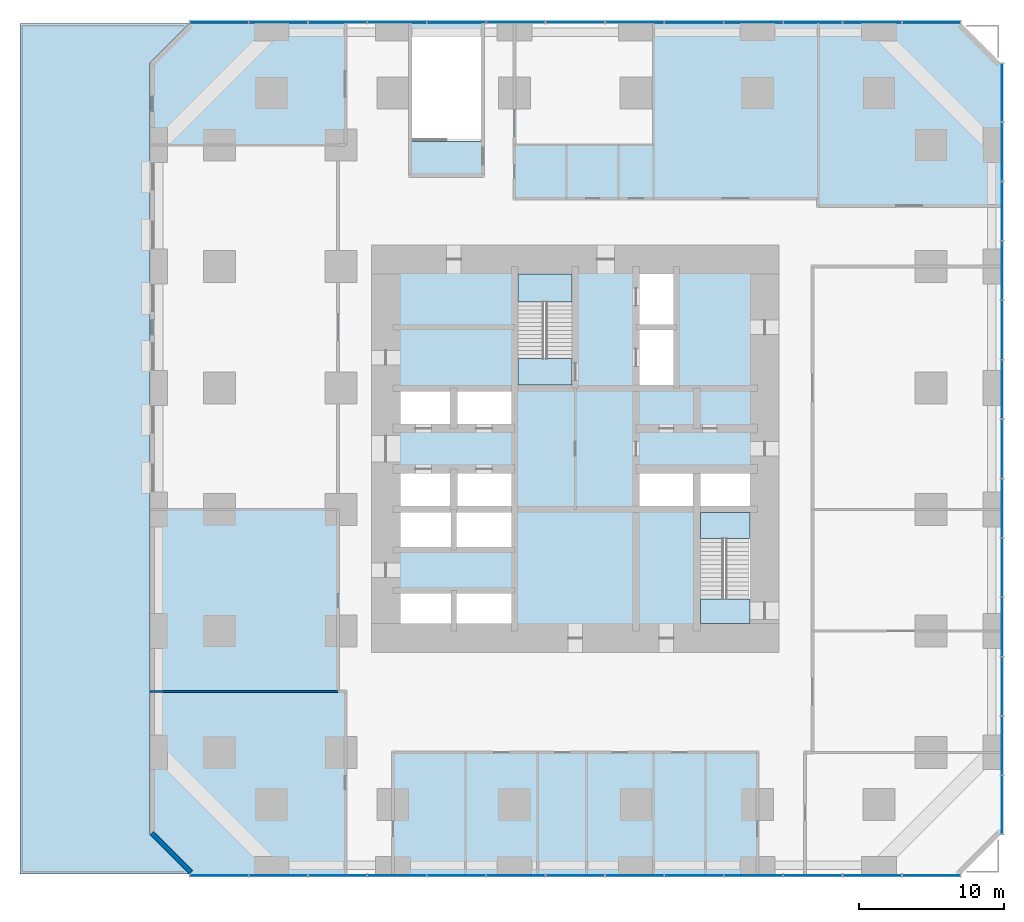
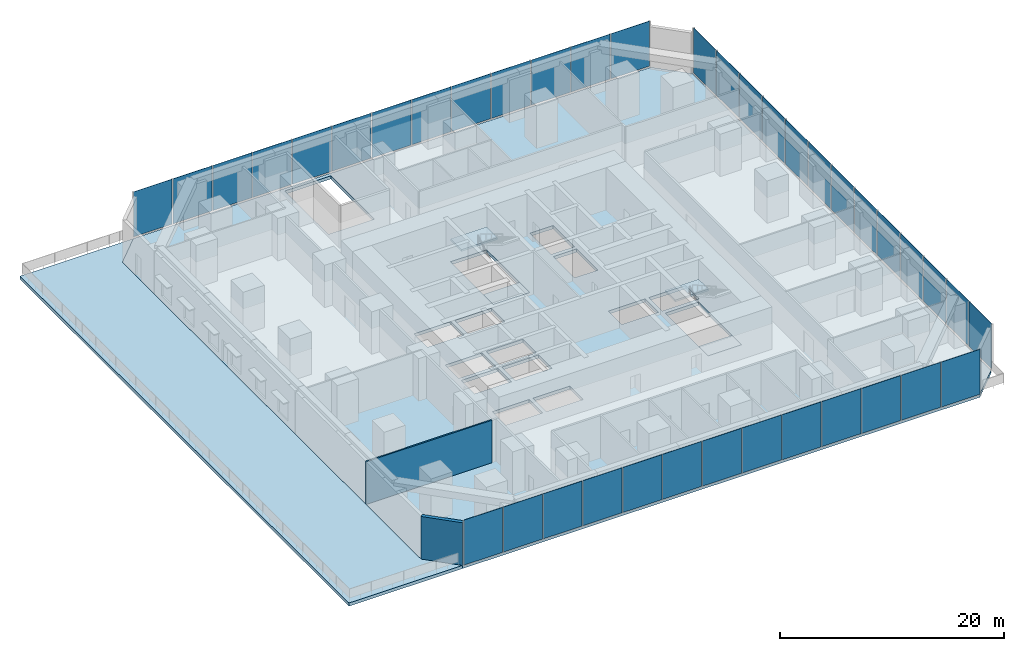
# One storey, part 6 of 12: 39 plates, 6 slabs, 2 walls, 5 elements without a shape of their own.
"""IFC4 building model written with IfcOpenShell, lengths in metres."""

from ifc_helpers import new_model, si_unit, direction, frame, frame_2d, origin, origin_2d, place, context, subcontext, project, spatial, polyline, rectangle, outline, extrude, material, layer, layer_set, type_object, element, aggregate, save


model = new_model("IFC4")

# Units and contexts
model_context = context("Model", 3, precision=1e-05, world=origin(), true_north=direction((0.0, 1.0)))
body_context = subcontext(model_context, "Body", "Model", "MODEL_VIEW")
ifc_project = project(units=[si_unit("LENGTHUNIT", "METRE"), si_unit("AREAUNIT", "SQUARE_METRE"), si_unit("VOLUMEUNIT", "CUBIC_METRE"), si_unit("PLANEANGLEUNIT", "RADIAN"), si_unit("MASSUNIT", "GRAM", prefix="KILO")], contexts=[model_context])

# Site, building, storey
site_placement = place(None, origin())
site = spatial("IfcSite", under=ifc_project, at=site_placement, CompositionType="ELEMENT")
building_placement = place(site_placement, origin())
building = spatial("IfcBuilding", under=site, at=building_placement, Name="Dunama Terrace Hotel", CompositionType="ELEMENT")
storey_placement = place(building_placement, frame((0.0, 0.0, 22.0)))
storey = spatial("IfcBuildingStorey", under=building, at=storey_placement, Name="L04", CompositionType="ELEMENT", Elevation=22.0)

# Curtain wall, plates
ifc_material_1 = material(Name="Aluminium curtain wall system", Category="aluminium")
curtain_wall_type = type_object("IfcCurtainWallType", Name="Podium storefront glazing CW-E", PredefinedType="NOTDEFINED", material=ifc_material_1)
curtain_wall_1_placement = place(storey_placement, origin())
curtain_wall_1 = element("IfcCurtainWall", 1, at=curtain_wall_1_placement, inside=storey, type_object=curtain_wall_type, Name="Podium storefront glazing CW-E L04", PredefinedType="NOTDEFINED")
ifc_material_2 = material(Name="Laminated glass", Category="glass")
ifc_layer_1 = layer(ifc_material_2, 0.033935546875)
ifc_layer_set_1 = layer_set([ifc_layer_1], Name="CWE clear glass panel")
plate_type_1 = type_object("IfcPlateType", Name="CWE clear glass panel", PredefinedType="CURTAIN_PANEL", material=ifc_layer_set_1)
plate_1_placement = place(storey_placement, frame((4.77392578125, -0.125, 0.08984375), z_axis=(0.0, 0.0, 1.0), x_axis=(1.0, 0.0, 0.0)))
plate_1 = element("IfcPlate", 2, at=plate_1_placement, type_object=plate_type_1, Name="CWE clear glass panel", PredefinedType="CURTAIN_PANEL", context=body_context, shape_type="SweptSolid", body=[
    extrude(rectangle(XDim=3.98779296875, YDim=0.033935546875, at=origin_2d()), origin(), (0.0, 0.0, 1.0), 4.909912109375),
])
plate_2_placement = place(storey_placement, frame((17.076904296875, -0.125, 0.08984375), z_axis=(0.0, 0.0, 1.0), x_axis=(1.0, 0.0, 0.0)))
plate_2 = element("IfcPlate", 3, at=plate_2_placement, type_object=plate_type_1, Name="CWE clear glass panel", PredefinedType="CURTAIN_PANEL", context=body_context, shape_type="SweptSolid", body=[
    extrude(rectangle(XDim=4.027587890625, YDim=0.033935546875, at=origin_2d()), origin(), (0.0, 0.0, 1.0), 4.909912109375),
])
plate_3_placement = place(storey_placement, frame((29.39990234375, -0.125, 0.08984375), z_axis=(0.0, 0.0, 1.0), x_axis=(1.0, 0.0, 0.0)))
plate_3 = element("IfcPlate", 4, at=plate_3_placement, type_object=plate_type_1, Name="CWE clear glass panel", PredefinedType="CURTAIN_PANEL", context=body_context, shape_type="SweptSolid", body=[
    extrude(rectangle(XDim=4.027587890625, YDim=0.033935546875, at=origin_2d()), origin(), (0.0, 0.0, 1.0), 4.909912109375),
])
plate_4_placement = place(storey_placement, frame((41.722900390625, -0.125, 0.08984375), z_axis=(0.0, 0.0, 1.0), x_axis=(1.0, 0.0, 0.0)))
plate_4 = element("IfcPlate", 5, at=plate_4_placement, type_object=plate_type_1, Name="CWE clear glass panel", PredefinedType="CURTAIN_PANEL", context=body_context, shape_type="SweptSolid", body=[
    extrude(rectangle(XDim=4.027587890625, YDim=0.033935546875, at=origin_2d()), origin(), (0.0, 0.0, 1.0), 4.909912109375),
])
plate_5_placement = place(storey_placement, frame((54.02587890625, -0.125, 0.08984375), z_axis=(0.0, 0.0, 1.0), x_axis=(1.0, 0.0, 0.0)))
plate_5 = element("IfcPlate", 6, at=plate_5_placement, type_object=plate_type_1, Name="CWE clear glass panel", PredefinedType="CURTAIN_PANEL", context=body_context, shape_type="SweptSolid", body=[
    extrude(rectangle(XDim=3.98779296875, YDim=0.033935546875, at=origin_2d()), origin(), (0.0, 0.0, 1.0), 4.909912109375),
])

curtain_wall_2_placement = place(storey_placement, origin())
curtain_wall_2 = element("IfcCurtainWall", 7, at=curtain_wall_2_placement, inside=storey, type_object=curtain_wall_type, Name="Podium storefront glazing CW-E L04", PredefinedType="NOTDEFINED")
plate_6_placement = place(storey_placement, frame((58.925048828125, 4.77392578125, 0.08984375), z_axis=(0.0, 0.0, 1.0), x_axis=(0.0, 1.0, 0.0)))
plate_6 = element("IfcPlate", 8, at=plate_6_placement, type_object=plate_type_1, Name="CWE clear glass panel", PredefinedType="CURTAIN_PANEL", context=body_context, shape_type="SweptSolid", body=[
    extrude(rectangle(XDim=3.98779296875, YDim=0.033935546875, at=origin_2d()), origin(), (0.0, 0.0, 1.0), 4.909912109375),
])
plate_7_placement = place(storey_placement, frame((58.925048828125, 17.076904296875, 0.08984375), z_axis=(0.0, 0.0, 1.0), x_axis=(0.0, 1.0, 0.0)))
plate_7 = element("IfcPlate", 9, at=plate_7_placement, type_object=plate_type_1, Name="CWE clear glass panel", PredefinedType="CURTAIN_PANEL", context=body_context, shape_type="SweptSolid", body=[
    extrude(rectangle(XDim=4.027587890625, YDim=0.033935546875, at=origin_2d()), origin(), (0.0, 0.0, 1.0), 4.909912109375),
])
plate_8_placement = place(storey_placement, frame((58.925048828125, 29.39990234375, 0.08984375), z_axis=(0.0, 0.0, 1.0), x_axis=(0.0, 1.0, 0.0)))
plate_8 = element("IfcPlate", 10, at=plate_8_placement, type_object=plate_type_1, Name="CWE clear glass panel", PredefinedType="CURTAIN_PANEL", context=body_context, shape_type="SweptSolid", body=[
    extrude(rectangle(XDim=4.027587890625, YDim=0.033935546875, at=origin_2d()), origin(), (0.0, 0.0, 1.0), 4.909912109375),
])
plate_9_placement = place(storey_placement, frame((58.925048828125, 41.722900390625, 0.08984375), z_axis=(0.0, 0.0, 1.0), x_axis=(0.0, 1.0, 0.0)))
plate_9 = element("IfcPlate", 11, at=plate_9_placement, type_object=plate_type_1, Name="CWE clear glass panel", PredefinedType="CURTAIN_PANEL", context=body_context, shape_type="SweptSolid", body=[
    extrude(rectangle(XDim=4.027587890625, YDim=0.033935546875, at=origin_2d()), origin(), (0.0, 0.0, 1.0), 4.909912109375),
])
plate_10_placement = place(storey_placement, frame((58.925048828125, 54.02587890625, 0.08984375), z_axis=(0.0, 0.0, 1.0), x_axis=(0.0, 1.0, 0.0)))
plate_10 = element("IfcPlate", 12, at=plate_10_placement, type_object=plate_type_1, Name="CWE clear glass panel", PredefinedType="CURTAIN_PANEL", context=body_context, shape_type="SweptSolid", body=[
    extrude(rectangle(XDim=3.98779296875, YDim=0.033935546875, at=origin_2d()), origin(), (0.0, 0.0, 1.0), 4.909912109375),
])

curtain_wall_3_placement = place(storey_placement, origin())
curtain_wall_3 = element("IfcCurtainWall", 13, at=curtain_wall_3_placement, inside=storey, type_object=curtain_wall_type, Name="Podium storefront glazing CW-E L04", PredefinedType="NOTDEFINED")
plate_11_placement = place(storey_placement, frame((54.02587890625, 58.925048828125, 0.08984375), z_axis=(0.0, 0.0, 1.0), x_axis=(-1.0, 0.0, 0.0)))
plate_11 = element("IfcPlate", 14, at=plate_11_placement, type_object=plate_type_1, Name="CWE clear glass panel", PredefinedType="CURTAIN_PANEL", context=body_context, shape_type="SweptSolid", body=[
    extrude(rectangle(XDim=3.98779296875, YDim=0.033935546875, at=origin_2d()), origin(), (0.0, 0.0, 1.0), 4.909912109375),
])
plate_12_placement = place(storey_placement, frame((41.722900390625, 58.925048828125, 0.08984375), z_axis=(0.0, 0.0, 1.0), x_axis=(-1.0, 0.0, 0.0)))
plate_12 = element("IfcPlate", 15, at=plate_12_placement, type_object=plate_type_1, Name="CWE clear glass panel", PredefinedType="CURTAIN_PANEL", context=body_context, shape_type="SweptSolid", body=[
    extrude(rectangle(XDim=4.027587890625, YDim=0.033935546875, at=origin_2d()), origin(), (0.0, 0.0, 1.0), 4.909912109375),
])
plate_13_placement = place(storey_placement, frame((29.39990234375, 58.925048828125, 0.08984375), z_axis=(0.0, 0.0, 1.0), x_axis=(-1.0, 0.0, 0.0)))
plate_13 = element("IfcPlate", 16, at=plate_13_placement, type_object=plate_type_1, Name="CWE clear glass panel", PredefinedType="CURTAIN_PANEL", context=body_context, shape_type="SweptSolid", body=[
    extrude(rectangle(XDim=4.027587890625, YDim=0.033935546875, at=origin_2d()), origin(), (0.0, 0.0, 1.0), 4.909912109375),
])
plate_14_placement = place(storey_placement, frame((17.076904296875, 58.925048828125, 0.08984375), z_axis=(0.0, 0.0, 1.0), x_axis=(-1.0, 0.0, 0.0)))
plate_14 = element("IfcPlate", 17, at=plate_14_placement, type_object=plate_type_1, Name="CWE clear glass panel", PredefinedType="CURTAIN_PANEL", context=body_context, shape_type="SweptSolid", body=[
    extrude(rectangle(XDim=4.027587890625, YDim=0.033935546875, at=origin_2d()), origin(), (0.0, 0.0, 1.0), 4.909912109375),
])
plate_15_placement = place(storey_placement, frame((4.77392578125, 58.925048828125, 0.08984375), z_axis=(0.0, 0.0, 1.0), x_axis=(-1.0, 0.0, 0.0)))
plate_15 = element("IfcPlate", 18, at=plate_15_placement, type_object=plate_type_1, Name="CWE clear glass panel", PredefinedType="CURTAIN_PANEL", context=body_context, shape_type="SweptSolid", body=[
    extrude(rectangle(XDim=3.98779296875, YDim=0.033935546875, at=origin_2d()), origin(), (0.0, 0.0, 1.0), 4.909912109375),
])

# Plate
ifc_material_3 = material(Name="Fritted laminated glass", Category="glass")
ifc_layer_2 = layer(ifc_material_3, 0.033935546875)
ifc_layer_set_2 = layer_set([ifc_layer_2], Name="CWE fritted glass panel")
plate_type_2 = type_object("IfcPlateType", Name="CWE fritted glass panel", PredefinedType="CURTAIN_PANEL", material=ifc_layer_set_2)
plate_16_placement = place(storey_placement, frame((12.968994140625, -0.125, 0.08984375), z_axis=(0.0, 0.0, 1.0), x_axis=(1.0, 0.0, 0.0)))
plate_16 = element("IfcPlate", 19, at=plate_16_placement, type_object=plate_type_2, Name="CWE fritted glass panel", PredefinedType="CURTAIN_PANEL", context=body_context, shape_type="SweptSolid", body=[
    extrude(rectangle(XDim=4.027587890625, YDim=0.033935546875, at=origin_2d()), origin(), (0.0, 0.0, 1.0), 4.909912109375),
])

plate_17_placement = place(storey_placement, frame((25.2919921875, -0.125, 0.08984375), z_axis=(0.0, 0.0, 1.0), x_axis=(1.0, 0.0, 0.0)))
plate_17 = element("IfcPlate", 20, at=plate_17_placement, type_object=plate_type_2, Name="CWE fritted glass panel", PredefinedType="CURTAIN_PANEL", context=body_context, shape_type="SweptSolid", body=[
    extrude(rectangle(XDim=4.027587890625, YDim=0.033935546875, at=origin_2d()), origin(), (0.0, 0.0, 1.0), 4.909912109375),
])

plate_18_placement = place(storey_placement, frame((37.614990234375, -0.125, 0.08984375), z_axis=(0.0, 0.0, 1.0), x_axis=(1.0, 0.0, 0.0)))
plate_18 = element("IfcPlate", 21, at=plate_18_placement, type_object=plate_type_2, Name="CWE fritted glass panel", PredefinedType="CURTAIN_PANEL", context=body_context, shape_type="SweptSolid", body=[
    extrude(rectangle(XDim=4.027587890625, YDim=0.033935546875, at=origin_2d()), origin(), (0.0, 0.0, 1.0), 4.909912109375),
])

plate_19_placement = place(storey_placement, frame((49.93798828125, -0.125, 0.08984375), z_axis=(0.0, 0.0, 1.0), x_axis=(1.0, 0.0, 0.0)))
plate_19 = element("IfcPlate", 22, at=plate_19_placement, type_object=plate_type_2, Name="CWE fritted glass panel", PredefinedType="CURTAIN_PANEL", context=body_context, shape_type="SweptSolid", body=[
    extrude(rectangle(XDim=4.027587890625, YDim=0.033935546875, at=origin_2d()), origin(), (0.0, 0.0, 1.0), 4.909912109375),
])

plate_20_placement = place(storey_placement, frame((58.925048828125, 12.968994140625, 0.08984375), z_axis=(0.0, 0.0, 1.0), x_axis=(0.0, 1.0, 0.0)))
plate_20 = element("IfcPlate", 23, at=plate_20_placement, type_object=plate_type_2, Name="CWE fritted glass panel", PredefinedType="CURTAIN_PANEL", context=body_context, shape_type="SweptSolid", body=[
    extrude(rectangle(XDim=4.027587890625, YDim=0.033935546875, at=origin_2d()), origin(), (0.0, 0.0, 1.0), 4.909912109375),
])

plate_21_placement = place(storey_placement, frame((58.925048828125, 25.2919921875, 0.08984375), z_axis=(0.0, 0.0, 1.0), x_axis=(0.0, 1.0, 0.0)))
plate_21 = element("IfcPlate", 24, at=plate_21_placement, type_object=plate_type_2, Name="CWE fritted glass panel", PredefinedType="CURTAIN_PANEL", context=body_context, shape_type="SweptSolid", body=[
    extrude(rectangle(XDim=4.027587890625, YDim=0.033935546875, at=origin_2d()), origin(), (0.0, 0.0, 1.0), 4.909912109375),
])

plate_22_placement = place(storey_placement, frame((58.925048828125, 37.614990234375, 0.08984375), z_axis=(0.0, 0.0, 1.0), x_axis=(0.0, 1.0, 0.0)))
plate_22 = element("IfcPlate", 25, at=plate_22_placement, type_object=plate_type_2, Name="CWE fritted glass panel", PredefinedType="CURTAIN_PANEL", context=body_context, shape_type="SweptSolid", body=[
    extrude(rectangle(XDim=4.027587890625, YDim=0.033935546875, at=origin_2d()), origin(), (0.0, 0.0, 1.0), 4.909912109375),
])

plate_23_placement = place(storey_placement, frame((58.925048828125, 49.93798828125, 0.08984375), z_axis=(0.0, 0.0, 1.0), x_axis=(0.0, 1.0, 0.0)))
plate_23 = element("IfcPlate", 26, at=plate_23_placement, type_object=plate_type_2, Name="CWE fritted glass panel", PredefinedType="CURTAIN_PANEL", context=body_context, shape_type="SweptSolid", body=[
    extrude(rectangle(XDim=4.027587890625, YDim=0.033935546875, at=origin_2d()), origin(), (0.0, 0.0, 1.0), 4.909912109375),
])

plate_24_placement = place(storey_placement, frame((45.8310546875, 58.925048828125, 0.08984375), z_axis=(0.0, 0.0, 1.0), x_axis=(-1.0, 0.0, 0.0)))
plate_24 = element("IfcPlate", 27, at=plate_24_placement, type_object=plate_type_2, Name="CWE fritted glass panel", PredefinedType="CURTAIN_PANEL", context=body_context, shape_type="SweptSolid", body=[
    extrude(rectangle(XDim=4.027587890625, YDim=0.033935546875, at=origin_2d()), origin(), (0.0, 0.0, 1.0), 4.909912109375),
])

plate_25_placement = place(storey_placement, frame((33.508056640625, 58.925048828125, 0.08984375), z_axis=(0.0, 0.0, 1.0), x_axis=(-1.0, 0.0, 0.0)))
plate_25 = element("IfcPlate", 28, at=plate_25_placement, type_object=plate_type_2, Name="CWE fritted glass panel", PredefinedType="CURTAIN_PANEL", context=body_context, shape_type="SweptSolid", body=[
    extrude(rectangle(XDim=4.027587890625, YDim=0.033935546875, at=origin_2d()), origin(), (0.0, 0.0, 1.0), 4.909912109375),
])

plate_26_placement = place(storey_placement, frame((21.18505859375, 58.925048828125, 0.08984375), z_axis=(0.0, 0.0, 1.0), x_axis=(-1.0, 0.0, 0.0)))
plate_26 = element("IfcPlate", 29, at=plate_26_placement, type_object=plate_type_2, Name="CWE fritted glass panel", PredefinedType="CURTAIN_PANEL", context=body_context, shape_type="SweptSolid", body=[
    extrude(rectangle(XDim=4.027587890625, YDim=0.033935546875, at=origin_2d()), origin(), (0.0, 0.0, 1.0), 4.909912109375),
])

plate_27_placement = place(storey_placement, frame((8.862060546875, 58.925048828125, 0.08984375), z_axis=(0.0, 0.0, 1.0), x_axis=(-1.0, 0.0, 0.0)))
plate_27 = element("IfcPlate", 30, at=plate_27_placement, type_object=plate_type_2, Name="CWE fritted glass panel", PredefinedType="CURTAIN_PANEL", context=body_context, shape_type="SweptSolid", body=[
    extrude(rectangle(XDim=4.027587890625, YDim=0.033935546875, at=origin_2d()), origin(), (0.0, 0.0, 1.0), 4.909912109375),
])

ifc_material_4 = material(Name="Laminated glass", Category="glass")
ifc_layer_3 = layer(ifc_material_4, 0.033935546875)
ifc_layer_set_3 = layer_set([ifc_layer_3], Name="CWE operable glass panel")
plate_type_3 = type_object("IfcPlateType", Name="CWE operable glass panel", PredefinedType="CURTAIN_PANEL", material=ifc_layer_set_3)
plate_28_placement = place(storey_placement, frame((8.862060546875, -0.125, 0.08984375), z_axis=(0.0, 0.0, 1.0), x_axis=(1.0, 0.0, 0.0)))
plate_28 = element("IfcPlate", 31, at=plate_28_placement, type_object=plate_type_3, Name="CWE operable glass panel", PredefinedType="CURTAIN_PANEL", context=body_context, shape_type="SweptSolid", body=[
    extrude(rectangle(XDim=4.027587890625, YDim=0.033935546875, at=origin_2d()), origin(), (0.0, 0.0, 1.0), 4.909912109375),
])

plate_29_placement = place(storey_placement, frame((21.18505859375, -0.125, 0.08984375), z_axis=(0.0, 0.0, 1.0), x_axis=(1.0, 0.0, 0.0)))
plate_29 = element("IfcPlate", 32, at=plate_29_placement, type_object=plate_type_3, Name="CWE operable glass panel", PredefinedType="CURTAIN_PANEL", context=body_context, shape_type="SweptSolid", body=[
    extrude(rectangle(XDim=4.027587890625, YDim=0.033935546875, at=origin_2d()), origin(), (0.0, 0.0, 1.0), 4.909912109375),
])

plate_30_placement = place(storey_placement, frame((33.508056640625, -0.125, 0.08984375), z_axis=(0.0, 0.0, 1.0), x_axis=(1.0, 0.0, 0.0)))
plate_30 = element("IfcPlate", 33, at=plate_30_placement, type_object=plate_type_3, Name="CWE operable glass panel", PredefinedType="CURTAIN_PANEL", context=body_context, shape_type="SweptSolid", body=[
    extrude(rectangle(XDim=4.027587890625, YDim=0.033935546875, at=origin_2d()), origin(), (0.0, 0.0, 1.0), 4.909912109375),
])

plate_31_placement = place(storey_placement, frame((45.8310546875, -0.125, 0.08984375), z_axis=(0.0, 0.0, 1.0), x_axis=(1.0, 0.0, 0.0)))
plate_31 = element("IfcPlate", 34, at=plate_31_placement, type_object=plate_type_3, Name="CWE operable glass panel", PredefinedType="CURTAIN_PANEL", context=body_context, shape_type="SweptSolid", body=[
    extrude(rectangle(XDim=4.027587890625, YDim=0.033935546875, at=origin_2d()), origin(), (0.0, 0.0, 1.0), 4.909912109375),
])

aggregate(curtain_wall_1, [plate_1, plate_28, plate_16, plate_2, plate_29, plate_17, plate_3, plate_30, plate_18, plate_4, plate_31, plate_19, plate_5])

plate_32_placement = place(storey_placement, frame((58.925048828125, 8.862060546875, 0.08984375), z_axis=(0.0, 0.0, 1.0), x_axis=(0.0, 1.0, 0.0)))
plate_32 = element("IfcPlate", 35, at=plate_32_placement, type_object=plate_type_3, Name="CWE operable glass panel", PredefinedType="CURTAIN_PANEL", context=body_context, shape_type="SweptSolid", body=[
    extrude(rectangle(XDim=4.027587890625, YDim=0.033935546875, at=origin_2d()), origin(), (0.0, 0.0, 1.0), 4.909912109375),
])

plate_33_placement = place(storey_placement, frame((58.925048828125, 21.18505859375, 0.08984375), z_axis=(0.0, 0.0, 1.0), x_axis=(0.0, 1.0, 0.0)))
plate_33 = element("IfcPlate", 36, at=plate_33_placement, type_object=plate_type_3, Name="CWE operable glass panel", PredefinedType="CURTAIN_PANEL", context=body_context, shape_type="SweptSolid", body=[
    extrude(rectangle(XDim=4.027587890625, YDim=0.033935546875, at=origin_2d()), origin(), (0.0, 0.0, 1.0), 4.909912109375),
])

plate_34_placement = place(storey_placement, frame((58.925048828125, 33.508056640625, 0.08984375), z_axis=(0.0, 0.0, 1.0), x_axis=(0.0, 1.0, 0.0)))
plate_34 = element("IfcPlate", 37, at=plate_34_placement, type_object=plate_type_3, Name="CWE operable glass panel", PredefinedType="CURTAIN_PANEL", context=body_context, shape_type="SweptSolid", body=[
    extrude(rectangle(XDim=4.027587890625, YDim=0.033935546875, at=origin_2d()), origin(), (0.0, 0.0, 1.0), 4.909912109375),
])

plate_35_placement = place(storey_placement, frame((58.925048828125, 45.8310546875, 0.08984375), z_axis=(0.0, 0.0, 1.0), x_axis=(0.0, 1.0, 0.0)))
plate_35 = element("IfcPlate", 38, at=plate_35_placement, type_object=plate_type_3, Name="CWE operable glass panel", PredefinedType="CURTAIN_PANEL", context=body_context, shape_type="SweptSolid", body=[
    extrude(rectangle(XDim=4.027587890625, YDim=0.033935546875, at=origin_2d()), origin(), (0.0, 0.0, 1.0), 4.909912109375),
])

aggregate(curtain_wall_2, [plate_6, plate_32, plate_20, plate_7, plate_33, plate_21, plate_8, plate_34, plate_22, plate_9, plate_35, plate_23, plate_10])

plate_36_placement = place(storey_placement, frame((49.93798828125, 58.925048828125, 0.08984375), z_axis=(0.0, 0.0, 1.0), x_axis=(-1.0, 0.0, 0.0)))
plate_36 = element("IfcPlate", 39, at=plate_36_placement, type_object=plate_type_3, Name="CWE operable glass panel", PredefinedType="CURTAIN_PANEL", context=body_context, shape_type="SweptSolid", body=[
    extrude(rectangle(XDim=4.027587890625, YDim=0.033935546875, at=origin_2d()), origin(), (0.0, 0.0, 1.0), 4.909912109375),
])

plate_37_placement = place(storey_placement, frame((37.614990234375, 58.925048828125, 0.08984375), z_axis=(0.0, 0.0, 1.0), x_axis=(-1.0, 0.0, 0.0)))
plate_37 = element("IfcPlate", 40, at=plate_37_placement, type_object=plate_type_3, Name="CWE operable glass panel", PredefinedType="CURTAIN_PANEL", context=body_context, shape_type="SweptSolid", body=[
    extrude(rectangle(XDim=4.027587890625, YDim=0.033935546875, at=origin_2d()), origin(), (0.0, 0.0, 1.0), 4.909912109375),
])

plate_38_placement = place(storey_placement, frame((25.2919921875, 58.925048828125, 0.08984375), z_axis=(0.0, 0.0, 1.0), x_axis=(-1.0, 0.0, 0.0)))
plate_38 = element("IfcPlate", 41, at=plate_38_placement, type_object=plate_type_3, Name="CWE operable glass panel", PredefinedType="CURTAIN_PANEL", context=body_context, shape_type="SweptSolid", body=[
    extrude(rectangle(XDim=4.027587890625, YDim=0.033935546875, at=origin_2d()), origin(), (0.0, 0.0, 1.0), 4.909912109375),
])

plate_39_placement = place(storey_placement, frame((12.968994140625, 58.925048828125, 0.08984375), z_axis=(0.0, 0.0, 1.0), x_axis=(-1.0, 0.0, 0.0)))
plate_39 = element("IfcPlate", 42, at=plate_39_placement, type_object=plate_type_3, Name="CWE operable glass panel", PredefinedType="CURTAIN_PANEL", context=body_context, shape_type="SweptSolid", body=[
    extrude(rectangle(XDim=4.027587890625, YDim=0.033935546875, at=origin_2d()), origin(), (0.0, 0.0, 1.0), 4.909912109375),
])

aggregate(curtain_wall_3, [plate_11, plate_36, plate_24, plate_12, plate_37, plate_25, plate_13, plate_38, plate_26, plate_14, plate_39, plate_27, plate_15])

# Slab
ifc_material_5 = material(Name="Concrete C40/50", Category="concrete")
ifc_layer_4 = layer(ifc_material_5, 0.35009765625)
ifc_layer_set_4 = layer_set([ifc_layer_4], Name="Flat plate 350")
slab_type_1 = type_object("IfcSlabType", Name="Flat plate 350", PredefinedType="FLOOR", material=ifc_layer_set_4)
slab_1_placement = place(storey_placement, frame((0.0, 0.0, -0.35009765625)))
element("IfcSlab", 43, at=slab_1_placement, inside=storey, type_object=slab_type_1, Name="Floor slab L04", PredefinedType="FLOOR", context=body_context, shape_type="SweptSolid", body=[
    extrude(outline(polyline([(2.699951171875, 0.0), (56.10009765625, 0.0), (58.800048828125, 2.699951171875), (58.800048828125, 56.10009765625), (56.10009765625, 58.800048828125), (2.699951171875, 58.800048828125), (0.0, 56.10009765625), (0.0, 2.699951171875), (2.699951171875, 0.0)]), holes=[polyline([(20.800048828125, 25.39990234375), (20.800048828125, 27.800048828125), (17.0, 27.800048828125), (17.0, 25.39990234375), (20.800048828125, 25.39990234375)]), polyline([(25.0, 25.39990234375), (25.0, 27.800048828125), (21.199951171875, 27.800048828125), (21.199951171875, 25.39990234375), (25.0, 25.39990234375)]), polyline([(20.800048828125, 31.0), (20.800048828125, 33.39990234375), (17.0, 33.39990234375), (17.0, 31.0), (20.800048828125, 31.0)]), polyline([(25.0, 31.0), (25.0, 33.39990234375), (21.199951171875, 33.39990234375), (21.199951171875, 31.0), (25.0, 31.0)]), polyline([(37.60009765625, 25.39990234375), (37.60009765625, 27.800048828125), (33.800048828125, 27.800048828125), (33.800048828125, 25.39990234375), (37.60009765625, 25.39990234375)]), polyline([(41.800048828125, 25.39990234375), (41.800048828125, 27.800048828125), (38.0, 27.800048828125), (38.0, 25.39990234375), (41.800048828125, 25.39990234375)]), polyline([(20.800048828125, 17.0), (20.800048828125, 19.39990234375), (17.0, 19.39990234375), (17.0, 17.0), (20.800048828125, 17.0)]), polyline([(25.0, 17.0), (25.0, 19.39990234375), (21.199951171875, 19.39990234375), (21.199951171875, 17.0), (25.0, 17.0)]), polyline([(20.800048828125, 22.60009765625), (20.800048828125, 25.0), (17.0, 25.0), (17.0, 22.60009765625), (20.800048828125, 22.60009765625)]), polyline([(25.0, 22.60009765625), (25.0, 25.0), (21.199951171875, 25.0), (21.199951171875, 22.60009765625), (25.0, 22.60009765625)]), polyline([(36.199951171875, 38.0), (36.199951171875, 41.800048828125), (33.800048828125, 41.800048828125), (33.800048828125, 38.0), (36.199951171875, 38.0)]), polyline([(36.199951171875, 33.800048828125), (36.199951171875, 37.60009765625), (33.800048828125, 37.60009765625), (33.800048828125, 33.800048828125), (36.199951171875, 33.800048828125)]), polyline([(29.175048828125, 33.824951171875), (29.175048828125, 41.5), (25.425048828125, 41.5), (25.425048828125, 33.824951171875), (29.175048828125, 33.824951171875)]), polyline([(41.5, 17.300048828125), (41.5, 24.97509765625), (38.050048828125, 24.97509765625), (38.050048828125, 17.300048828125), (41.5, 17.300048828125)]), polyline([(22.875, 50.659912109375), (22.875, 58.449951171875), (18.125, 58.449951171875), (18.125, 50.659912109375), (22.875, 50.659912109375)])]), origin(), (0.0, 0.0, 1.0), 0.35009765625),
])

# Stair, slabs
ifc_material_6 = material(Name="Concrete C40/50", Category="concrete")
stair_type_1 = type_object("IfcStairType", Name="Stair ST1-5000-1800", PredefinedType="HALF_TURN_STAIR", material=ifc_material_6)
stair_1_placement = place(storey_placement, origin())
stair_1 = element("IfcStair", 44, at=stair_1_placement, inside=storey, type_object=stair_type_1, Name="Stair ST1 L04", PredefinedType="HALF_TURN_STAIR")
ifc_material_7 = material(Name="Concrete C40/50", Category="concrete")
ifc_layer_5 = layer(ifc_material_7, 0.199951171875)
ifc_layer_set_5 = layer_set([ifc_layer_5], Name="Stair landing 200")
slab_type_2 = type_object("IfcSlabType", Name="Stair landing 200", PredefinedType="LANDING", material=ifc_layer_set_5)
slab_2_placement = place(storey_placement, frame((0.0, 0.0, -0.199951171875)))
slab_2 = element("IfcSlab", 45, at=slab_2_placement, type_object=slab_type_2, Name="ST1 landing 1, type S10", PredefinedType="LANDING", context=body_context, shape_type="SweptSolid", body=[
    extrude(outline(polyline([(25.425048828125, 33.824951171875), (29.175048828125, 33.824951171875), (29.175048828125, 35.625), (25.425048828125, 35.625), (25.425048828125, 33.824951171875)])), origin(), (0.0, 0.0, 1.0), 0.199951171875),
])
slab_3_placement = place(storey_placement, frame((0.0, 0.0, 2.300048828125)))
slab_3 = element("IfcSlab", 46, at=slab_3_placement, type_object=slab_type_2, Name="ST1 landing 2, type S10", PredefinedType="LANDING", context=body_context, shape_type="SweptSolid", body=[
    extrude(outline(polyline([(25.425048828125, 39.544921875), (29.175048828125, 39.544921875), (29.175048828125, 41.5), (25.425048828125, 41.5), (25.425048828125, 39.544921875)])), origin(), (0.0, 0.0, 1.0), 0.199951171875),
])
aggregate(stair_1, [slab_2, slab_3])

ifc_material_8 = material(Name="Concrete C40/50", Category="concrete")
stair_type_2 = type_object("IfcStairType", Name="Stair ST2-5000-1600", PredefinedType="HALF_TURN_STAIR", material=ifc_material_8)
stair_2_placement = place(storey_placement, origin())
stair_2 = element("IfcStair", 47, at=stair_2_placement, inside=storey, type_object=stair_type_2, Name="Stair ST2 L04", PredefinedType="HALF_TURN_STAIR")
slab_4_placement = place(storey_placement, frame((0.0, 0.0, -0.199951171875)))
slab_4 = element("IfcSlab", 48, at=slab_4_placement, type_object=slab_type_2, Name="ST2 landing 1, type S10", PredefinedType="LANDING", context=body_context, shape_type="SweptSolid", body=[
    extrude(outline(polyline([(38.050048828125, 17.300048828125), (41.5, 17.300048828125), (41.5, 19.0), (38.050048828125, 19.0), (38.050048828125, 17.300048828125)])), origin(), (0.0, 0.0, 1.0), 0.199951171875),
])
slab_5_placement = place(storey_placement, frame((0.0, 0.0, 2.300048828125)))
slab_5 = element("IfcSlab", 49, at=slab_5_placement, type_object=slab_type_2, Name="ST2 landing 2, type S10", PredefinedType="LANDING", context=body_context, shape_type="SweptSolid", body=[
    extrude(outline(polyline([(38.050048828125, 23.199951171875), (41.5, 23.199951171875), (41.5, 24.97509765625), (38.050048828125, 24.97509765625), (38.050048828125, 23.199951171875)])), origin(), (0.0, 0.0, 1.0), 0.199951171875),
])
aggregate(stair_2, [slab_4, slab_5])

# Slab
ifc_material_9 = material(Name="Concrete C40/50", Category="concrete")
ifc_layer_6 = layer(ifc_material_9, 0.35009765625)
ifc_layer_set_6 = layer_set([ifc_layer_6], Name="Terrace slab 350")
slab_type_3 = type_object("IfcSlabType", Name="Terrace slab 350", PredefinedType="FLOOR", material=ifc_layer_set_6)
slab_6_placement = place(storey_placement, frame((0.0, 0.0, -0.35009765625)))
element("IfcSlab", 50, at=slab_6_placement, inside=storey, type_object=slab_type_3, Name="Planted terrace slab", PredefinedType="FLOOR", context=body_context, shape_type="SweptSolid", body=[
    extrude(outline(polyline([(-9.0, 0.0), (-9.0, 58.800048828125), (2.699951171875, 58.800048828125), (0.0, 56.10009765625), (0.0, 2.699951171875), (2.699951171875, 0.0), (-9.0, 0.0)])), origin(), (0.0, 0.0, 1.0), 0.35009765625),
])

# Walls
ifc_material_10 = material(Name="Granite-faced concrete blockwork", Category="masonry")
ifc_layer_7 = layer(ifc_material_10, 0.35009765625)
ifc_layer_set_7 = layer_set([ifc_layer_7], Name="Podium external wall 350")
wall_type_1 = type_object("IfcWallType", Name="Podium external wall 350", PredefinedType="SOLIDWALL", material=ifc_layer_set_7)
wall_1_placement = place(storey_placement, frame((0.1240234375, 2.823974609375, 0.0), z_axis=(0.0, 0.0, 1.0), x_axis=(0.707106781187, -0.707106781187, 0.0)))
element("IfcWall", 51, at=wall_1_placement, inside=storey, type_object=wall_type_1, Name="Podium external wall 350 L04", PredefinedType="SOLIDWALL", context=body_context, shape_type="SweptSolid", body=[
    extrude(rectangle(XDim=3.818359375, YDim=0.35009765625, at=frame_2d((1.9091796875, 0.0))), origin(), (0.0, 0.0, 1.0), 4.64990234375),
])
ifc_material_11 = material(Name="Gypsum board partition", Category="masonry")
ifc_layer_8 = layer(ifc_material_11, 0.14990234375)
ifc_layer_set_8 = layer_set([ifc_layer_8], Name="Room partition 150")
wall_type_2 = type_object("IfcWallType", Name="Room partition 150", PredefinedType="PARTITIONING", material=ifc_layer_set_8)
wall_2_placement = place(storey_placement, frame((0.0, 12.60009765625, 0.0), z_axis=(0.0, 0.0, 1.0), x_axis=(1.0, 0.0, 0.0)))
element("IfcWall", 52, at=wall_2_placement, inside=storey, type_object=wall_type_2, Name="Room partition 150 L04", PredefinedType="PARTITIONING", context=body_context, shape_type="SweptSolid", body=[
    extrude(rectangle(XDim=13.0, YDim=0.14990234375, at=frame_2d((6.5, 0.0))), origin(), (0.0, 0.0, 1.0), 4.64990234375),
])

save(model, "model.ifc")
